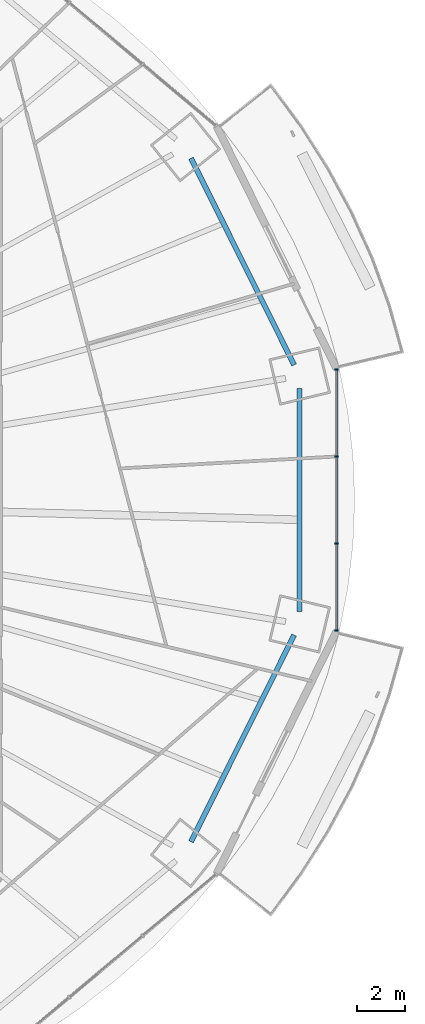
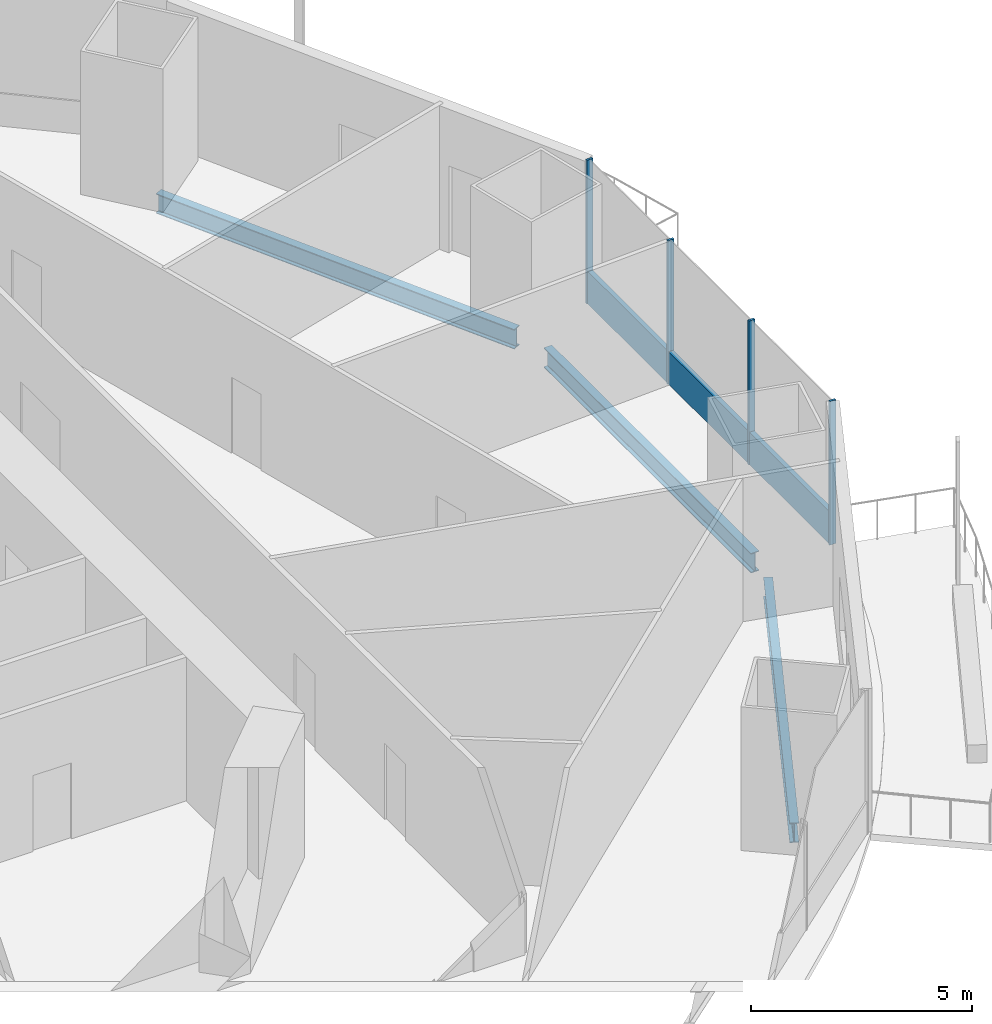
# One storey, part 11 of 21: 5 members, 3 beams, 1 element without a shape of its own.
"""IFC4 building model written with IfcOpenShell, lengths in metres."""

from ifc_helpers import new_model, si_unit, direction, frame, origin, origin_2d, place, context, subcontext, project, spatial, rectangle, i_section, extrude, material, material_profile, profile_set, type_object, element, aggregate, save


model = new_model("IFC4")

# Units and contexts
model_context = context("Model", 3, precision=1e-05, world=origin(), true_north=direction((0.0, 1.0)))
body_context = subcontext(model_context, "Body", "Model", "MODEL_VIEW")
ifc_project = project(units=[si_unit("LENGTHUNIT", "METRE"), si_unit("AREAUNIT", "SQUARE_METRE"), si_unit("VOLUMEUNIT", "CUBIC_METRE"), si_unit("PLANEANGLEUNIT", "RADIAN"), si_unit("MASSUNIT", "GRAM", prefix="KILO")], contexts=[model_context])

# Site, building, storey
site_placement = place(None, origin())
site = spatial("IfcSite", under=ifc_project, at=site_placement, CompositionType="ELEMENT")
building_placement = place(site_placement, origin())
building = spatial("IfcBuilding", under=site, at=building_placement, Name="Marenthal Gate Tower", CompositionType="ELEMENT")
storey_placement = place(building_placement, frame((0.0, 0.0, 124.300048828125)))
storey = spatial("IfcBuildingStorey", under=building, at=storey_placement, Name="L26", CompositionType="ELEMENT", Elevation=124.300048828125)

# Curtain wall, members
ifc_material_1 = material(Name="Aluminium and glass", Category="aluminium")
curtain_wall_type = type_object("IfcCurtainWallType", Name="Curtain wall typical low", PredefinedType="NOTDEFINED", material=ifc_material_1)
curtain_wall_placement = place(storey_placement, origin())
curtain_wall = element("IfcCurtainWall", 1, at=curtain_wall_placement, inside=storey, type_object=curtain_wall_type, Name="Curtain wall L26 bay 16", PredefinedType="NOTDEFINED")
ifc_material_2 = material(Name="Aluminium", Category="aluminium")
ifc_material_profile_1 = material_profile(ifc_material_2, rectangle(XDim=0.159912109375, YDim=0.06005859375, at=origin_2d()), Name="60x160 aluminium mullion")
ifc_profile_set_1 = profile_set([ifc_material_profile_1], Name="Aluminium")
member_type_1 = type_object("IfcMemberType", Name="Mullion 60x160 typical low", PredefinedType="MULLION", material=ifc_profile_set_1)
member_1_placement = place(storey_placement, frame((33.134765625, -5.495361328125, 0.0), z_axis=(0.0, 0.0, 1.0), x_axis=(-1.0, 0.0, 0.0)))
member_1 = element("IfcMember", 2, at=member_1_placement, type_object=member_type_1, Name="Mullion L26 bay 16.1", PredefinedType="MULLION", context=body_context, shape_type="SweptSolid", body=[
    extrude(rectangle(XDim=0.159912109375, YDim=0.06005859375, at=origin_2d()), origin(), (0.0, 0.0, 1.0), 3.969970703125),
])
member_2_placement = place(storey_placement, frame((33.134765625, -1.831787109375, 0.0), z_axis=(0.0, 0.0, 1.0), x_axis=(-1.0, 0.0, 0.0)))
member_2 = element("IfcMember", 3, at=member_2_placement, type_object=member_type_1, Name="Mullion L26 bay 16.2", PredefinedType="MULLION", context=body_context, shape_type="SweptSolid", body=[
    extrude(rectangle(XDim=0.159912109375, YDim=0.06005859375, at=origin_2d()), origin(), (0.0, 0.0, 1.0), 3.969970703125),
])
member_3_placement = place(storey_placement, frame((33.134765625, 1.831787109375, 0.0), z_axis=(0.0, 0.0, 1.0), x_axis=(-1.0, 0.0, 0.0)))
member_3 = element("IfcMember", 4, at=member_3_placement, type_object=member_type_1, Name="Mullion L26 bay 16.3", PredefinedType="MULLION", context=body_context, shape_type="SweptSolid", body=[
    extrude(rectangle(XDim=0.159912109375, YDim=0.06005859375, at=origin_2d()), origin(), (0.0, 0.0, 1.0), 3.969970703125),
])
member_4_placement = place(storey_placement, frame((33.134765625, 5.495361328125, 0.0), z_axis=(0.0, 0.0, 1.0), x_axis=(-1.0, 0.0, 0.0)))
member_4 = element("IfcMember", 5, at=member_4_placement, type_object=member_type_1, Name="Mullion L26 bay 16.4", PredefinedType="MULLION", context=body_context, shape_type="SweptSolid", body=[
    extrude(rectangle(XDim=0.159912109375, YDim=0.06005859375, at=origin_2d()), origin(), (0.0, 0.0, 1.0), 3.969970703125),
])
ifc_material_3 = material(Name="Aluminium", Category="aluminium")
ifc_material_profile_2 = material_profile(ifc_material_3, rectangle(XDim=0.1201171875, YDim=0.89990234375, at=origin_2d()), Name="120x900 aluminium transom")
ifc_profile_set_2 = profile_set([ifc_material_profile_2], Name="Aluminium")
member_type_2 = type_object("IfcMemberType", Name="Transom 120x900 typical low", PredefinedType="USERDEFINED", material=ifc_profile_set_2)
member_5_placement = place(storey_placement, frame((33.134765625, -5.46533203125, 0.449951171875), z_axis=(0.0, 1.0, 0.0), x_axis=(-1.0, 0.0, 0.0)))
member_5 = element("IfcMember", 6, at=member_5_placement, type_object=member_type_2, Name="Transom L26 bay 16", ObjectType="TRANSOM", PredefinedType="USERDEFINED", context=body_context, shape_type="SweptSolid", body=[
    extrude(rectangle(XDim=0.1201171875, YDim=0.89990234375, at=origin_2d()), origin(), (0.0, 0.0, 1.0), 10.9306640625),
])
aggregate(curtain_wall, [member_1, member_2, member_3, member_4, member_5])

# Beams
ifc_material_4 = material(Name="Steel S355", Category="steel")
ifc_material_profile_3 = material_profile(ifc_material_4, i_section(OverallWidth=0.2119140625, OverallDepth=0.5439453125, WebThickness=0.01318359375, FlangeThickness=0.021240234375, FilletRadius=0.0126953125, at=origin_2d()), Name="W530X123")
ifc_profile_set_3 = profile_set([ifc_material_profile_3], Name="Steel S355")
beam_type = type_object("IfcBeamType", Name="W530X123 beam", PredefinedType="BEAM", material=ifc_profile_set_3)
for number, where, z_axis, x_axis, name in (
    (7, (31.35009765625, 5.688232421875, -0.4521484375), (-0.446359643577, 0.894853657637, 0.0), (-0.894853657637, -0.446359643577, 0.0), "BM-L26-41"),
    (8, (27.01025390625, -14.388671875, -0.4521484375), (0.446359643577, 0.894853657637, 0.0), (-0.894853657637, 0.446359643577, 0.0), "BM-L26-55"),
):
    element("IfcBeam", number, at=place(storey_placement, frame(where, z_axis=z_axis, x_axis=x_axis)), inside=storey, type_object=beam_type, Name=name, PredefinedType="BEAM", context=body_context, shape_type="SweptSolid", body=[
        extrude(i_section(OverallWidth=0.2119140625, OverallDepth=0.5439453125, WebThickness=0.01318359375, FlangeThickness=0.021240234375, FilletRadius=0.0126953125, at=origin_2d()), origin(), (0.0, 0.0, 1.0), 9.72265625),
    ])
beam_placement = place(storey_placement, frame((31.585205078125, -4.688720703125, -0.4521484375), z_axis=(0.0, 1.0, 0.0), x_axis=(-1.0, 0.0, 0.0)))
element("IfcBeam", 9, at=beam_placement, inside=storey, type_object=beam_type, Name="BM-L26-56", PredefinedType="BEAM", context=body_context, shape_type="SweptSolid", body=[
    extrude(i_section(OverallWidth=0.2119140625, OverallDepth=0.5439453125, WebThickness=0.01318359375, FlangeThickness=0.021240234375, FilletRadius=0.0126953125, at=origin_2d()), origin(), (0.0, 0.0, 1.0), 9.37744140625),
])

save(model, "model.ifc")
